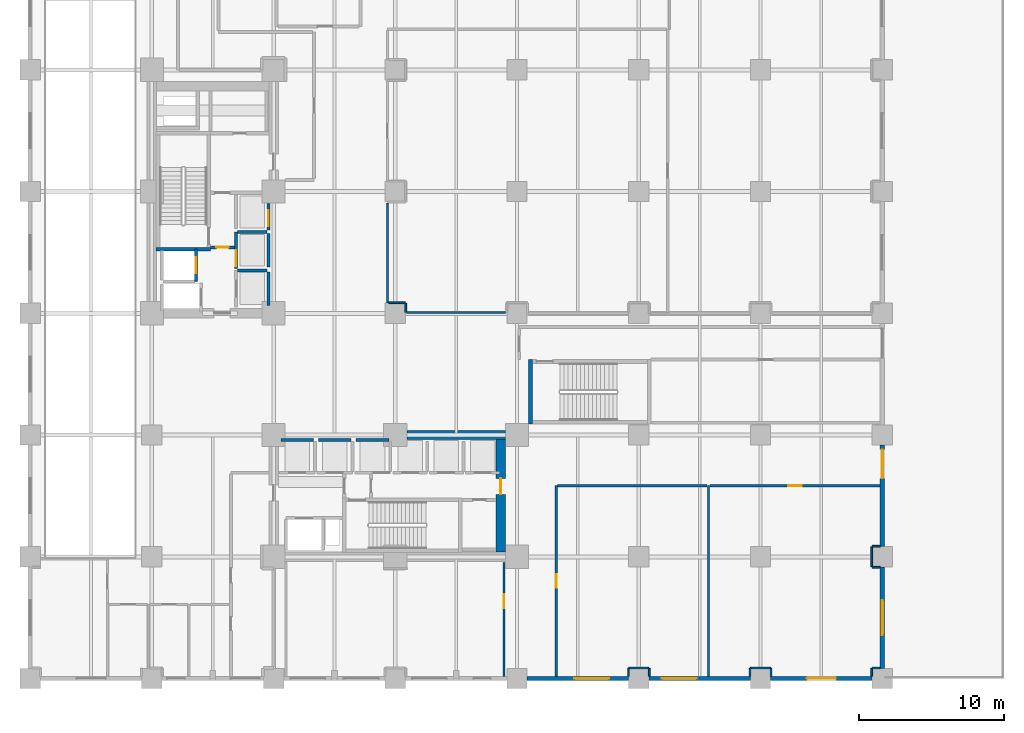
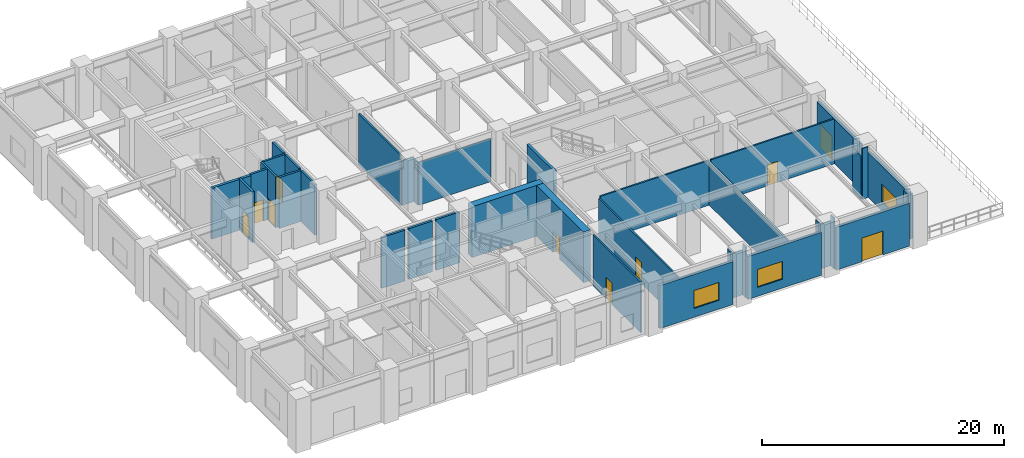
# One storey, part 5 of 13: 40 walls, 10 doors, 3 windows, 13 openings.
"""IFC4 building model written with IfcOpenShell, lengths in metres."""

from ifc_helpers import new_model, si_unit, direction, frame, frame_2d, origin, place, context, subcontext, project, spatial, rectangle, extrude, material, layer, layer_set, type_object, element, fill, save


model = new_model("IFC4")

# Units and contexts
model_context = context("Model", 3, precision=1e-05, world=origin(), true_north=direction((0.0, 1.0)))
body_context = subcontext(model_context, "Body", "Model", "MODEL_VIEW")
ifc_project = project(units=[si_unit("LENGTHUNIT", "METRE"), si_unit("AREAUNIT", "SQUARE_METRE"), si_unit("VOLUMEUNIT", "CUBIC_METRE"), si_unit("PLANEANGLEUNIT", "RADIAN"), si_unit("MASSUNIT", "GRAM", prefix="KILO")], contexts=[model_context])

# Site, building, storey
site_placement = place(None, origin())
site = spatial("IfcSite", under=ifc_project, at=site_placement, CompositionType="ELEMENT")
building_placement = place(site_placement, origin())
building = spatial("IfcBuilding", under=site, at=building_placement, Name="Nerrivon Quay Data Exchange", CompositionType="ELEMENT")
storey_placement = place(building_placement, origin())
storey = spatial("IfcBuildingStorey", under=building, at=storey_placement, Name="L00", CompositionType="ELEMENT", Elevation=0.0)

# Wall, opening, door
ifc_material_1 = material(Name="Precast concrete N50 (50 MPa)", Category="concrete")
ifc_layer_1 = layer(ifc_material_1, 0.280029296875)
ifc_layer_set_1 = layer_set([ifc_layer_1], Name="Precast concrete N50 (50 MPa)")
wall_type_1 = type_object("IfcWallType", Name="EW-PREC-280", PredefinedType="STANDARD", material=ifc_layer_set_1)
wall_1_placement = place(storey_placement, frame((58.800048828125, 16.10009765625, 0.0), z_axis=(0.0, 0.0, 1.0), x_axis=(0.0, -1.0, 0.0)))
wall_1 = element("IfcWall", 1, at=wall_1_placement, inside=storey, type_object=wall_type_1, Name="L00 Podium Exterior Wall 18", PredefinedType="STANDARD", context=body_context, shape_type="SweptSolid", body=[
    extrude(rectangle(XDim=7.0, YDim=0.280029296875, at=frame_2d((3.5, 0.0))), origin(), (0.0, 0.0, 1.0), 4.512939453125),
])
opening_1_placement = place(wall_1_placement, frame((0.300048828125, 0.0, 0.0)))
opening_1 = element("IfcOpeningElement", 2, at=opening_1_placement, cuts=wall_1, Name="Opening ED1", PredefinedType="OPENING", context=body_context, shape_type="SweptSolid", body=[
    extrude(rectangle(XDim=2.0, YDim=2.39990234375, at=frame_2d((1.0, 1.199951171875))), frame((0.0, 0.14990234375, 0.0), z_axis=(0.0, -1.0, 0.0), x_axis=(1.0, 0.0, 0.0)), (0.0, 0.0, 1.0), 0.300048828125),
])
ifc_material_2 = material(Name="Anodised aluminium 6063-T6", Category="aluminium")
door_type_1 = type_object("IfcDoorType", Name="DR-EXT-2000x2400", OperationType="DOUBLE_DOOR_SINGLE_SWING", PredefinedType="DOOR", material=ifc_material_2)
door_1_placement = place(opening_1_placement, origin())
door_1 = element("IfcDoor", 3, at=door_1_placement, inside=storey, type_object=door_type_1, Name="Waterfront Promenade Entrance Door 18", OperationType="DOUBLE_DOOR_SINGLE_SWING", OverallHeight=2.39990234375, OverallWidth=2.0, PredefinedType="DOOR", context=body_context, shape_type="SweptSolid", body=[
    extrude(rectangle(XDim=2.0, YDim=2.39990234375, at=frame_2d((1.0, 1.199951171875))), frame((0.0, 0.02490234375, 0.0), z_axis=(0.0, -1.0, 0.0), x_axis=(1.0, 0.0, 0.0)), (0.0, 0.0, 1.0), 0.050048828125),
])
fill(opening_1, door_1)

# Wall, opening, window
wall_2_placement = place(storey_placement, frame((58.800048828125, 7.699951171875, 0.0), z_axis=(0.0, 0.0, 1.0), x_axis=(0.0, -1.0, 0.0)))
wall_2 = element("IfcWall", 4, at=wall_2_placement, inside=storey, type_object=wall_type_1, Name="L00 Podium Exterior Wall 19", PredefinedType="STANDARD", context=body_context, shape_type="SweptSolid", body=[
    extrude(rectangle(XDim=7.0, YDim=0.280029296875, at=frame_2d((3.5, 0.0))), origin(), (0.0, 0.0, 1.0), 4.512939453125),
])
opening_2_placement = place(wall_2_placement, frame((2.300048828125, 0.0, 0.89990234375)))
opening_2 = element("IfcOpeningElement", 5, at=opening_2_placement, cuts=wall_2, Name="Opening WN1", PredefinedType="OPENING", context=body_context, shape_type="SweptSolid", body=[
    extrude(rectangle(XDim=2.39990234375, YDim=1.800048828125, at=frame_2d((1.199951171875, 0.89990234375))), frame((0.0, 0.14990234375, 0.0), z_axis=(0.0, -1.0, 0.0), x_axis=(1.0, 0.0, 0.0)), (0.0, 0.0, 1.0), 0.300048828125),
])
ifc_material_3 = material(Name="Double-glazed low-E solar control glass", Category="glass")
window_type = type_object("IfcWindowType", Name="WIN-W1-2400x1800", PartitioningType="SINGLE_PANEL", PredefinedType="WINDOW", material=ifc_material_3)
window_1_placement = place(opening_2_placement, origin())
window_1 = element("IfcWindow", 6, at=window_1_placement, inside=storey, type_object=window_type, Name="L00 Podium Window 19", OverallHeight=1.800048828125, OverallWidth=2.39990234375, PartitioningType="SINGLE_PANEL", PredefinedType="WINDOW", context=body_context, shape_type="SweptSolid", body=[
    extrude(rectangle(XDim=2.39990234375, YDim=1.800048828125, at=frame_2d((1.199951171875, 0.89990234375))), frame((0.0, 0.030029296875, 0.0), z_axis=(0.0, -1.0, 0.0), x_axis=(1.0, 0.0, 0.0)), (0.0, 0.0, 1.0), 0.06005859375),
])
fill(opening_2, window_1)

# Wall, opening, door
wall_3_placement = place(storey_placement, frame((58.10009765625, 0.0, 0.0), z_axis=(0.0, 0.0, 1.0), x_axis=(-1.0, 0.0, 0.0)))
wall_3 = element("IfcWall", 7, at=wall_3_placement, inside=storey, type_object=wall_type_1, Name="L00 Podium Exterior Wall 20", PredefinedType="STANDARD", context=body_context, shape_type="SweptSolid", body=[
    extrude(rectangle(XDim=7.0, YDim=0.280029296875, at=frame_2d((3.5, 0.0))), origin(), (0.0, 0.0, 1.0), 4.324951171875),
])
opening_3_placement = place(wall_3_placement, frame((2.5, 0.0, 0.0)))
opening_3 = element("IfcOpeningElement", 8, at=opening_3_placement, cuts=wall_3, Name="Opening ED1", PredefinedType="OPENING", context=body_context, shape_type="SweptSolid", body=[
    extrude(rectangle(XDim=2.0, YDim=2.39990234375, at=frame_2d((1.0, 1.199951171875))), frame((0.0, 0.14990234375, 0.0), z_axis=(0.0, -1.0, 0.0), x_axis=(1.0, 0.0, 0.0)), (0.0, 0.0, 1.0), 0.300048828125),
])
door_2_placement = place(opening_3_placement, origin())
door_2 = element("IfcDoor", 9, at=door_2_placement, inside=storey, type_object=door_type_1, Name="Waterfront Promenade Entrance Door 20", OperationType="DOUBLE_DOOR_SINGLE_SWING", OverallHeight=2.39990234375, OverallWidth=2.0, PredefinedType="DOOR", context=body_context, shape_type="SweptSolid", body=[
    extrude(rectangle(XDim=2.0, YDim=2.39990234375, at=frame_2d((1.0, 1.199951171875))), frame((0.0, 0.02490234375, 0.0), z_axis=(0.0, -1.0, 0.0), x_axis=(1.0, 0.0, 0.0)), (0.0, 0.0, 1.0), 0.050048828125),
])
fill(opening_3, door_2)

# Wall, opening, window
wall_4_placement = place(storey_placement, frame((49.699951171875, 0.0, 0.0), z_axis=(0.0, 0.0, 1.0), x_axis=(-1.0, 0.0, 0.0)))
wall_4 = element("IfcWall", 10, at=wall_4_placement, inside=storey, type_object=wall_type_1, Name="L00 Podium Exterior Wall 21", PredefinedType="STANDARD", context=body_context, shape_type="SweptSolid", body=[
    extrude(rectangle(XDim=7.0, YDim=0.280029296875, at=frame_2d((3.5, 0.0))), origin(), (0.0, 0.0, 1.0), 4.324951171875),
])
opening_4_placement = place(wall_4_placement, frame((3.705078125, 0.0, 0.89990234375)))
opening_4 = element("IfcOpeningElement", 11, at=opening_4_placement, cuts=wall_4, Name="Opening WN1", PredefinedType="OPENING", context=body_context, shape_type="SweptSolid", body=[
    extrude(rectangle(XDim=2.39990234375, YDim=1.800048828125, at=frame_2d((1.199951171875, 0.89990234375))), frame((0.0, 0.14990234375, 0.0), z_axis=(0.0, -1.0, 0.0), x_axis=(1.0, 0.0, 0.0)), (0.0, 0.0, 1.0), 0.300048828125),
])
window_2_placement = place(opening_4_placement, origin())
window_2 = element("IfcWindow", 12, at=window_2_placement, inside=storey, type_object=window_type, Name="L00 Podium Window 21", OverallHeight=1.800048828125, OverallWidth=2.39990234375, PartitioningType="SINGLE_PANEL", PredefinedType="WINDOW", context=body_context, shape_type="SweptSolid", body=[
    extrude(rectangle(XDim=2.39990234375, YDim=1.800048828125, at=frame_2d((1.199951171875, 0.89990234375))), frame((0.0, 0.030029296875, 0.0), z_axis=(0.0, -1.0, 0.0), x_axis=(1.0, 0.0, 0.0)), (0.0, 0.0, 1.0), 0.06005859375),
])
fill(opening_4, window_2)

wall_5_placement = place(storey_placement, frame((41.300048828125, 0.0, 0.0), z_axis=(0.0, 0.0, 1.0), x_axis=(-1.0, 0.0, 0.0)))
wall_5 = element("IfcWall", 13, at=wall_5_placement, inside=storey, type_object=wall_type_1, Name="L00 Podium Exterior Wall 22", PredefinedType="STANDARD", context=body_context, shape_type="SweptSolid", body=[
    extrude(rectangle(XDim=7.0, YDim=0.280029296875, at=frame_2d((3.5, 0.0))), origin(), (0.0, 0.0, 1.0), 4.324951171875),
])
opening_5_placement = place(wall_5_placement, frame((1.344970703125, 0.0, 0.89990234375)))
opening_5 = element("IfcOpeningElement", 14, at=opening_5_placement, cuts=wall_5, Name="Opening WN1", PredefinedType="OPENING", context=body_context, shape_type="SweptSolid", body=[
    extrude(rectangle(XDim=2.39990234375, YDim=1.800048828125, at=frame_2d((1.199951171875, 0.89990234375))), frame((0.0, 0.14990234375, 0.0), z_axis=(0.0, -1.0, 0.0), x_axis=(1.0, 0.0, 0.0)), (0.0, 0.0, 1.0), 0.300048828125),
])
window_3_placement = place(opening_5_placement, origin())
window_3 = element("IfcWindow", 15, at=window_3_placement, inside=storey, type_object=window_type, Name="L00 Podium Window 22", OverallHeight=1.800048828125, OverallWidth=2.39990234375, PartitioningType="SINGLE_PANEL", PredefinedType="WINDOW", context=body_context, shape_type="SweptSolid", body=[
    extrude(rectangle(XDim=2.39990234375, YDim=1.800048828125, at=frame_2d((1.199951171875, 0.89990234375))), frame((0.0, 0.030029296875, 0.0), z_axis=(0.0, -1.0, 0.0), x_axis=(1.0, 0.0, 0.0)), (0.0, 0.0, 1.0), 0.06005859375),
])
fill(opening_5, window_3)

# Wall, opening, door
ifc_material_4 = material(Name="Concrete N80 (80 MPa)", Category="concrete")
ifc_layer_2 = layer(ifc_material_4, 0.64990234375)
ifc_layer_set_2 = layer_set([ifc_layer_2], Name="Concrete N80 (80 MPa)")
wall_type_2 = type_object("IfcWallType", Name="WALL-CW-850", PredefinedType="SHEAR", material=ifc_layer_set_2)
wall_6_placement = place(storey_placement, frame((32.47509765625, 8.72509765625, 0.0), z_axis=(0.0, 0.0, 1.0), x_axis=(0.0, 1.0, 0.0)))
wall_6 = element("IfcWall", 16, at=wall_6_placement, inside=storey, type_object=wall_type_2, Name="L00 East Split-Core Shear Wall ECW-E1", PredefinedType="SHEAR", context=body_context, shape_type="SweptSolid", body=[
    extrude(rectangle(XDim=7.75, YDim=0.64990234375, at=frame_2d((3.875, 0.0))), origin(), (0.0, 0.0, 1.0), 5.125),
])
opening_6_placement = place(wall_6_placement, frame((3.97509765625, 0.0, 0.0)))
opening_6 = element("IfcOpeningElement", 17, at=opening_6_placement, cuts=wall_6, Name="Opening FD-120", PredefinedType="OPENING", context=body_context, shape_type="SweptSolid", body=[
    extrude(rectangle(XDim=1.10009765625, YDim=2.14990234375, at=frame_2d((0.550048828125, 1.074951171875))), frame((0.0, 0.3349609375, 0.0), z_axis=(0.0, -1.0, 0.0), x_axis=(1.0, 0.0, 0.0)), (0.0, 0.0, 1.0), 0.669921875),
])
ifc_material_5 = material(Name="Powder-coated galvanized steel sheet", Category="steel")
door_type_2 = type_object("IfcDoorType", Name="DR-FD120-1100", OperationType="NOTDEFINED", PredefinedType="DOOR", material=ifc_material_5)
door_3_placement = place(opening_6_placement, origin())
door_3 = element("IfcDoor", 18, at=door_3_placement, inside=storey, type_object=door_type_2, Name="L00 East Core Lobby Fire Door", OperationType="SINGLE_SWING_LEFT", OverallHeight=2.14990234375, OverallWidth=1.10009765625, PredefinedType="DOOR", context=body_context, shape_type="SweptSolid", body=[
    extrude(rectangle(XDim=1.10009765625, YDim=2.14990234375, at=frame_2d((0.550048828125, 1.074951171875))), frame((0.0, 0.02490234375, 0.0), z_axis=(0.0, -1.0, 0.0), x_axis=(1.0, 0.0, 0.0)), (0.0, 0.0, 1.0), 0.050048828125),
])
fill(opening_6, door_3)

# Wall
wall_7_placement = place(storey_placement, frame((26.0, 16.800048828125, 0.0), z_axis=(0.0, 0.0, 1.0), x_axis=(1.0, 0.0, 0.0)))
element("IfcWall", 19, at=wall_7_placement, inside=storey, type_object=wall_type_2, Name="L00 East Split-Core Shear Wall ECW-N1", PredefinedType="SHEAR", context=body_context, shape_type="SweptSolid", body=[
    extrude(rectangle(XDim=6.800048828125, YDim=0.64990234375, at=frame_2d((3.39990234375, 0.0))), origin(), (0.0, 0.0, 1.0), 5.125),
])

# Wall, opening, door
ifc_material_6 = material(Name="Gypsum plasterboard on cold-formed framing", Category="gypsum")
ifc_layer_3 = layer(ifc_material_6, 0.199951171875)
ifc_layer_set_3 = layer_set([ifc_layer_3], Name="Gypsum plasterboard on cold-formed framing")
wall_type_3 = type_object("IfcWallType", Name="WALL-FW-200", PredefinedType="PARTITIONING", material=ifc_layer_set_3)
wall_8_placement = place(storey_placement, frame((12.449951171875, 29.75, 0.0), z_axis=(0.0, 0.0, 1.0), x_axis=(1.0, 0.0, 0.0)))
wall_8 = element("IfcWall", 20, at=wall_8_placement, inside=storey, type_object=wall_type_3, Name="L00 West Stair Protected Exit Vestibule Wall", PredefinedType="PARTITIONING", context=body_context, shape_type="SweptSolid", body=[
    extrude(rectangle(XDim=1.650146484375, YDim=0.199951171875, at=frame_2d((0.8251953125, 0.0))), origin(), (0.0, 0.0, 1.0), 5.125),
])
opening_7_placement = place(wall_8_placement, frame((0.39990234375, 0.0, 0.0)))
opening_7 = element("IfcOpeningElement", 21, at=opening_7_placement, cuts=wall_8, Name="Opening FD-60S", PredefinedType="OPENING", context=body_context, shape_type="SweptSolid", body=[
    extrude(rectangle(XDim=0.85009765625, YDim=2.14990234375, at=frame_2d((0.425048828125, 1.074951171875))), frame((0.0, 0.10986328125, 0.0), z_axis=(0.0, -1.0, 0.0), x_axis=(1.0, 0.0, 0.0)), (0.0, 0.0, 1.0), 0.219970703125),
])
ifc_material_7 = material(Name="Engineered hardwood timber", Category="wood")
door_type_3 = type_object("IfcDoorType", Name="DR-FD60-850", OperationType="NOTDEFINED", PredefinedType="DOOR", material=ifc_material_7)
door_4_placement = place(opening_7_placement, origin())
door_4 = element("IfcDoor", 22, at=door_4_placement, inside=storey, type_object=door_type_3, Name="L00 West Lift Lobby to Exit Vestibule Fire Door", OperationType="SINGLE_SWING_LEFT", OverallHeight=2.14990234375, OverallWidth=0.85009765625, PredefinedType="DOOR", context=body_context, shape_type="SweptSolid", body=[
    extrude(rectangle(XDim=0.85009765625, YDim=2.14990234375, at=frame_2d((0.425048828125, 1.074951171875))), frame((0.0, 0.02490234375, 0.0), z_axis=(0.0, -1.0, 0.0), x_axis=(1.0, 0.0, 0.0)), (0.0, 0.0, 1.0), 0.050048828125),
])
fill(opening_7, door_4)

wall_9_placement = place(storey_placement, frame((11.449951171875, 27.39990234375, 0.0), z_axis=(0.0, 0.0, 1.0), x_axis=(0.0, 1.0, 0.0)))
wall_9 = element("IfcWall", 23, at=wall_9_placement, inside=storey, type_object=wall_type_3, Name="L00 Lift Front Wall FFL-1", PredefinedType="PARTITIONING", context=body_context, shape_type="SweptSolid", body=[
    extrude(rectangle(XDim=2.25, YDim=0.199951171875, at=frame_2d((1.125, 0.0))), origin(), (0.0, 0.0, 1.0), 5.125),
])
opening_8_placement = place(wall_9_placement, frame((0.574951171875, 0.0, 0.0)))
opening_8 = element("IfcOpeningElement", 24, at=opening_8_placement, cuts=wall_9, Name="Opening LD-120", PredefinedType="OPENING", context=body_context, shape_type="SweptSolid", body=[
    extrude(rectangle(XDim=1.10009765625, YDim=2.199951171875, at=frame_2d((0.550048828125, 1.10009765625))), frame((0.0, 0.10986328125, 0.0), z_axis=(0.0, -1.0, 0.0), x_axis=(1.0, 0.0, 0.0)), (0.0, 0.0, 1.0), 0.219970703125),
])
door_type_4 = type_object("IfcDoorType", Name="DR-LIFT-LD120", OperationType="DOUBLE_DOOR_SLIDING", PredefinedType="DOOR", material=ifc_material_5)
door_5_placement = place(opening_8_placement, origin())
door_5 = element("IfcDoor", 25, at=door_5_placement, inside=storey, type_object=door_type_4, Name="L00 Lift Landing Sliding Door FFL-1", OperationType="DOUBLE_DOOR_SLIDING", OverallHeight=2.199951171875, OverallWidth=1.10009765625, PredefinedType="DOOR", context=body_context, shape_type="SweptSolid", body=[
    extrude(rectangle(XDim=1.10009765625, YDim=2.199951171875, at=frame_2d((0.550048828125, 1.10009765625))), frame((0.0, 0.02490234375, 0.0), z_axis=(0.0, -1.0, 0.0), x_axis=(1.0, 0.0, 0.0)), (0.0, 0.0, 1.0), 0.050048828125),
])
fill(opening_8, door_5)

# Walls
wall_10_placement = place(storey_placement, frame((16.449951171875, 25.75, 0.0), z_axis=(0.0, 0.0, 1.0), x_axis=(0.0, 1.0, 0.0)))
element("IfcWall", 26, at=wall_10_placement, inside=storey, type_object=wall_type_3, Name="L00 Lift Shaft Wall PL1 EAST", PredefinedType="PARTITIONING", context=body_context, shape_type="SweptSolid", body=[
    extrude(rectangle(XDim=2.300048828125, YDim=0.199951171875, at=frame_2d((1.14990234375, 0.0))), origin(), (0.0, 0.0, 1.0), 5.125),
])
wall_11_placement = place(storey_placement, frame((14.300048828125, 28.14990234375, 0.0), z_axis=(0.0, 0.0, 1.0), x_axis=(1.0, 0.0, 0.0)))
element("IfcWall", 27, at=wall_11_placement, inside=storey, type_object=wall_type_3, Name="L00 Lift Shaft Wall PL1 NORTH", PredefinedType="PARTITIONING", context=body_context, shape_type="SweptSolid", body=[
    extrude(rectangle(XDim=2.050048828125, YDim=0.199951171875, at=frame_2d((1.02490234375, 0.0))), origin(), (0.0, 0.0, 1.0), 5.125),
])

# Wall, opening, door
wall_12_placement = place(storey_placement, frame((14.199951171875, 28.300048828125, 0.0), z_axis=(0.0, 0.0, 1.0), x_axis=(0.0, 1.0, 0.0)))
wall_12 = element("IfcWall", 28, at=wall_12_placement, inside=storey, type_object=wall_type_3, Name="L00 Lift Front Wall PL2", PredefinedType="PARTITIONING", context=body_context, shape_type="SweptSolid", body=[
    extrude(rectangle(XDim=2.5, YDim=0.199951171875, at=frame_2d((1.25, 0.0))), origin(), (0.0, 0.0, 1.0), 5.125),
])
opening_9_placement = place(wall_12_placement, frame((0.14990234375, 0.0, 0.0)))
opening_9 = element("IfcOpeningElement", 29, at=opening_9_placement, cuts=wall_12, Name="Opening LD-120", PredefinedType="OPENING", context=body_context, shape_type="SweptSolid", body=[
    extrude(rectangle(XDim=1.10009765625, YDim=2.199951171875, at=frame_2d((0.550048828125, 1.10009765625))), frame((0.0, 0.10986328125, 0.0), z_axis=(0.0, -1.0, 0.0), x_axis=(1.0, 0.0, 0.0)), (0.0, 0.0, 1.0), 0.219970703125),
])
door_6_placement = place(opening_9_placement, origin())
door_6 = element("IfcDoor", 30, at=door_6_placement, inside=storey, type_object=door_type_4, Name="L00 Lift Landing Sliding Door PL2", OperationType="DOUBLE_DOOR_SLIDING", OverallHeight=2.199951171875, OverallWidth=1.10009765625, PredefinedType="DOOR", context=body_context, shape_type="SweptSolid", body=[
    extrude(rectangle(XDim=1.10009765625, YDim=2.199951171875, at=frame_2d((0.550048828125, 1.10009765625))), frame((0.0, 0.02490234375, 0.0), z_axis=(0.0, -1.0, 0.0), x_axis=(1.0, 0.0, 0.0)), (0.0, 0.0, 1.0), 0.050048828125),
])
fill(opening_9, door_6)

# Walls
wall_13_placement = place(storey_placement, frame((16.449951171875, 28.39990234375, 0.0), z_axis=(0.0, 0.0, 1.0), x_axis=(0.0, 1.0, 0.0)))
element("IfcWall", 31, at=wall_13_placement, inside=storey, type_object=wall_type_3, Name="L00 Lift Shaft Wall PL2 EAST", PredefinedType="PARTITIONING", context=body_context, shape_type="SweptSolid", body=[
    extrude(rectangle(XDim=2.300048828125, YDim=0.199951171875, at=frame_2d((1.14990234375, 0.0))), origin(), (0.0, 0.0, 1.0), 5.125),
])
wall_14_placement = place(storey_placement, frame((14.300048828125, 30.800048828125, 0.0), z_axis=(0.0, 0.0, 1.0), x_axis=(1.0, 0.0, 0.0)))
element("IfcWall", 32, at=wall_14_placement, inside=storey, type_object=wall_type_3, Name="L00 Lift Shaft Wall PL2 NORTH", PredefinedType="PARTITIONING", context=body_context, shape_type="SweptSolid", body=[
    extrude(rectangle(XDim=2.050048828125, YDim=0.199951171875, at=frame_2d((1.02490234375, 0.0))), origin(), (0.0, 0.0, 1.0), 5.125),
])

# Wall, opening, door
wall_15_placement = place(storey_placement, frame((16.449951171875, 30.949951171875, 0.0), z_axis=(0.0, 0.0, 1.0), x_axis=(0.0, 1.0, 0.0)))
wall_15 = element("IfcWall", 33, at=wall_15_placement, inside=storey, type_object=wall_type_3, Name="L00 Lift Front Wall PL3", PredefinedType="PARTITIONING", context=body_context, shape_type="SweptSolid", body=[
    extrude(rectangle(XDim=1.830078125, YDim=0.199951171875, at=frame_2d((0.9150390625, 0.0))), origin(), (0.0, 0.0, 1.0), 5.125),
])
opening_10_placement = place(wall_15_placement, frame((0.25, 0.0, 0.0)))
opening_10 = element("IfcOpeningElement", 34, at=opening_10_placement, cuts=wall_15, Name="Opening LD-120", PredefinedType="OPENING", context=body_context, shape_type="SweptSolid", body=[
    extrude(rectangle(XDim=1.10009765625, YDim=2.199951171875, at=frame_2d((0.550048828125, 1.10009765625))), frame((0.0, 0.10986328125, 0.0), z_axis=(0.0, -1.0, 0.0), x_axis=(1.0, 0.0, 0.0)), (0.0, 0.0, 1.0), 0.219970703125),
])
door_7_placement = place(opening_10_placement, origin())
door_7 = element("IfcDoor", 35, at=door_7_placement, inside=storey, type_object=door_type_4, Name="L00 Lift Landing Sliding Door PL3", OperationType="DOUBLE_DOOR_SLIDING", OverallHeight=2.199951171875, OverallWidth=1.10009765625, PredefinedType="DOOR", context=body_context, shape_type="SweptSolid", body=[
    extrude(rectangle(XDim=1.10009765625, YDim=2.199951171875, at=frame_2d((0.550048828125, 1.10009765625))), frame((0.0, 0.02490234375, 0.0), z_axis=(0.0, -1.0, 0.0), x_axis=(1.0, 0.0, 0.0)), (0.0, 0.0, 1.0), 0.050048828125),
])
fill(opening_10, door_7)

# Walls
for number, where, z_axis, x_axis, name in (
    (36, (17.300048828125, 16.449951171875, 0.0), (0.0, 0.0, 1.0), (1.0, 0.0, 0.0), "L00 Lift Shaft Wall PL4 NORTH"),
    (37, (19.89990234375, 16.449951171875, 0.0), (0.0, 0.0, 1.0), (1.0, 0.0, 0.0), "L00 Lift Shaft Wall PL5 NORTH"),
    (38, (22.5, 16.449951171875, 0.0), (0.0, 0.0, 1.0), (1.0, 0.0, 0.0), "L00 Lift Shaft Wall PL6 NORTH"),
):
    element("IfcWall", number, at=place(storey_placement, frame(where, z_axis=z_axis, x_axis=x_axis)), inside=storey, type_object=wall_type_3, Name=name, PredefinedType="PARTITIONING", context=body_context, shape_type="SweptSolid", body=[
        extrude(rectangle(XDim=2.25, YDim=0.199951171875, at=frame_2d((1.125, 0.0))), origin(), (0.0, 0.0, 1.0), 5.125),
    ])
ifc_layer_4 = layer(ifc_material_6, 0.1201171875)
ifc_layer_set_4 = layer_set([ifc_layer_4], Name="Gypsum plasterboard on cold-formed framing")
wall_type_4 = type_object("IfcWallType", Name="WALL-PT-120", PredefinedType="PARTITIONING", material=ifc_layer_set_4)
wall_16_placement = place(storey_placement, frame((24.739013671875, 25.919921875, 0.0), z_axis=(0.0, 0.0, 1.0), x_axis=(1.0, 0.0, 0.0)))
element("IfcWall", 39, at=wall_16_placement, inside=storey, type_object=wall_type_4, Name="L00 Partition Carrier Reception Office", PredefinedType="PARTITIONING", context=body_context, shape_type="SweptSolid", body=[
    extrude(rectangle(XDim=1.160888671875, YDim=0.1201171875, at=frame_2d((0.58056640625, 0.0))), origin(), (0.0, 0.0, 1.0), 4.512939453125),
])
wall_17_placement = place(storey_placement, frame((25.919921875, 25.89990234375, 0.0), z_axis=(0.0, 0.0, 1.0), x_axis=(0.0, -1.0, 0.0)))
element("IfcWall", 40, at=wall_17_placement, inside=storey, type_object=wall_type_4, Name="L00 Partition Carrier Reception Office", PredefinedType="PARTITIONING", context=body_context, shape_type="SweptSolid", body=[
    extrude(rectangle(XDim=0.639892578125, YDim=0.1201171875, at=frame_2d((0.31982421875, 0.0))), origin(), (0.0, 0.0, 1.0), 4.324951171875),
])
wall_18_placement = place(storey_placement, frame((41.280029296875, 0.14404296875, 0.0), z_axis=(0.0, 0.0, 1.0), x_axis=(0.0, 1.0, 0.0)))
element("IfcWall", 41, at=wall_18_placement, inside=storey, type_object=wall_type_4, Name="L00 Partition Client Huddle Meeting Room", PredefinedType="PARTITIONING", context=body_context, shape_type="SweptSolid", body=[
    extrude(rectangle(XDim=0.555908203125, YDim=0.1201171875, at=frame_2d((0.27783203125, 0.0))), origin(), (0.0, 0.0, 1.0), 5.125),
])
wall_19_placement = place(storey_placement, frame((41.300048828125, 0.719970703125, 0.0), z_axis=(0.0, 0.0, 1.0), x_axis=(1.0, 0.0, 0.0)))
element("IfcWall", 42, at=wall_19_placement, inside=storey, type_object=wall_type_4, Name="L00 Partition Client Huddle Meeting Room", PredefinedType="PARTITIONING", context=body_context, shape_type="SweptSolid", body=[
    extrude(rectangle(XDim=1.39990234375, YDim=0.1201171875, at=frame_2d((0.699951171875, 0.0))), origin(), (0.0, 0.0, 1.0), 4.512939453125),
])
for number, where, z_axis, x_axis, name in (
    (43, (42.719970703125, 0.699951171875, 0.0), (0.0, 0.0, 1.0), (0.0, -1.0, 0.0), "L00 Partition Client Huddle Meeting Room"),
    (44, (49.679931640625, 0.14404296875, 0.0), (0.0, 0.0, 1.0), (0.0, 1.0, 0.0), "L00 Partition Digital Exchange Office"),
):
    element("IfcWall", number, at=place(storey_placement, frame(where, z_axis=z_axis, x_axis=x_axis)), inside=storey, type_object=wall_type_4, Name=name, PredefinedType="PARTITIONING", context=body_context, shape_type="SweptSolid", body=[
        extrude(rectangle(XDim=0.555908203125, YDim=0.1201171875, at=frame_2d((0.27783203125, 0.0))), origin(), (0.0, 0.0, 1.0), 5.125),
    ])
wall_20_placement = place(storey_placement, frame((49.699951171875, 0.719970703125, 0.0), z_axis=(0.0, 0.0, 1.0), x_axis=(1.0, 0.0, 0.0)))
element("IfcWall", 45, at=wall_20_placement, inside=storey, type_object=wall_type_4, Name="L00 Partition Digital Exchange Office", PredefinedType="PARTITIONING", context=body_context, shape_type="SweptSolid", body=[
    extrude(rectangle(XDim=1.400146484375, YDim=0.1201171875, at=frame_2d((0.7001953125, 0.0))), origin(), (0.0, 0.0, 1.0), 4.512939453125),
])
for number, where, z_axis, x_axis, name in (
    (46, (51.1201171875, 0.699951171875, 0.0), (0.0, 0.0, 1.0), (0.0, -1.0, 0.0), "L00 Partition Digital Exchange Office"),
    (47, (58.080078125, 0.14404296875, 0.0), (0.0, 0.0, 1.0), (0.0, 1.0, 0.0), "L00 Partition Digital Exchange Office"),
    (48, (58.10009765625, 0.719970703125, 0.0), (0.0, 0.0, 1.0), (1.0, 0.0, 0.0), "L00 Partition Digital Exchange Office"),
    (49, (58.656005859375, 7.679931640625, 0.0), (0.0, 0.0, 1.0), (-1.0, 0.0, 0.0), "L00 Partition Digital Exchange Office"),
):
    element("IfcWall", number, at=place(storey_placement, frame(where, z_axis=z_axis, x_axis=x_axis)), inside=storey, type_object=wall_type_4, Name=name, PredefinedType="PARTITIONING", context=body_context, shape_type="SweptSolid", body=[
        extrude(rectangle(XDim=0.555908203125, YDim=0.1201171875, at=frame_2d((0.27783203125, 0.0))), origin(), (0.0, 0.0, 1.0), 5.125),
    ])
wall_21_placement = place(storey_placement, frame((58.080078125, 7.699951171875, 0.0), z_axis=(0.0, 0.0, 1.0), x_axis=(0.0, 1.0, 0.0)))
element("IfcWall", 50, at=wall_21_placement, inside=storey, type_object=wall_type_4, Name="L00 Partition Digital Exchange Office", PredefinedType="PARTITIONING", context=body_context, shape_type="SweptSolid", body=[
    extrude(rectangle(XDim=1.400146484375, YDim=0.1201171875, at=frame_2d((0.7001953125, 0.0))), origin(), (0.0, 0.0, 1.0), 4.324951171875),
])
wall_22_placement = place(storey_placement, frame((58.10009765625, 9.1201171875, 0.0), z_axis=(0.0, 0.0, 1.0), x_axis=(1.0, 0.0, 0.0)))
element("IfcWall", 51, at=wall_22_placement, inside=storey, type_object=wall_type_4, Name="L00 Partition Digital Exchange Office", PredefinedType="PARTITIONING", context=body_context, shape_type="SweptSolid", body=[
    extrude(rectangle(XDim=0.555908203125, YDim=0.1201171875, at=frame_2d((0.27783203125, 0.0))), origin(), (0.0, 0.0, 1.0), 5.125),
])
ifc_layer_5 = layer(ifc_material_6, 0.14990234375)
ifc_layer_set_5 = layer_set([ifc_layer_5], Name="Gypsum plasterboard on cold-formed framing")
wall_type_5 = type_object("IfcWallType", Name="WALL-PT-150", PredefinedType="PARTITIONING", material=ifc_layer_set_5)
wall_23_placement = place(storey_placement, frame((24.659912109375, 32.81591796875, 0.0), z_axis=(0.0, 0.0, 1.0), x_axis=(0.0, -1.0, 0.0)))
element("IfcWall", 52, at=wall_23_placement, inside=storey, type_object=wall_type_5, Name="L00 Partition Carrier Reception Office", PredefinedType="PARTITIONING", context=body_context, shape_type="SweptSolid", body=[
    extrude(rectangle(XDim=6.89599609375, YDim=0.14990234375, at=frame_2d((3.447998046875, 0.0))), origin(), (0.0, 0.0, 1.0), 5.125),
])
wall_24_placement = place(storey_placement, frame((25.98388671875, 25.260009765625, 0.0), z_axis=(0.0, 0.0, 1.0), x_axis=(1.0, 0.0, 0.0)))
element("IfcWall", 53, at=wall_24_placement, inside=storey, type_object=wall_type_5, Name="L00 Partition Carrier Reception Office", PredefinedType="PARTITIONING", context=body_context, shape_type="SweptSolid", body=[
    extrude(rectangle(XDim=6.83203125, YDim=0.14990234375, at=frame_2d((3.416015625, 0.0))), origin(), (0.0, 0.0, 1.0), 4.324951171875),
])

# Wall, opening, door
wall_25_placement = place(storey_placement, frame((36.300048828125, 13.300048828125, 0.0), z_axis=(0.0, 0.0, 1.0), x_axis=(0.0, -1.0, 0.0)))
wall_25 = element("IfcWall", 54, at=wall_25_placement, inside=storey, type_object=wall_type_5, Name="L00 Partition Client Huddle Meeting Room", PredefinedType="PARTITIONING", context=body_context, shape_type="SweptSolid", body=[
    extrude(rectangle(XDim=13.156005859375, YDim=0.14990234375, at=frame_2d((6.578125, 0.0))), origin(), (0.0, 0.0, 1.0), 4.324951171875),
])
opening_11_placement = place(wall_25_placement, frame((6.10302734375, 0.0, 0.0)))
opening_11 = element("IfcOpeningElement", 55, at=opening_11_placement, cuts=wall_25, Name="Opening D-01", PredefinedType="OPENING", context=body_context, shape_type="SweptSolid", body=[
    extrude(rectangle(XDim=0.949951171875, YDim=2.14990234375, at=frame_2d((0.47509765625, 1.074951171875))), frame((0.0, 0.0849609375, 0.0), z_axis=(0.0, -1.0, 0.0), x_axis=(1.0, 0.0, 0.0)), (0.0, 0.0, 1.0), 0.169921875),
])
door_type_5 = type_object("IfcDoorType", Name="DR-INT-950", OperationType="NOTDEFINED", PredefinedType="DOOR", material=ifc_material_7)
door_8_placement = place(opening_11_placement, origin())
door_8 = element("IfcDoor", 56, at=door_8_placement, inside=storey, type_object=door_type_5, Name="L00 Door Client Huddle Meeting Room", OperationType="SINGLE_SWING_LEFT", OverallHeight=2.14990234375, OverallWidth=0.949951171875, PredefinedType="DOOR", context=body_context, shape_type="SweptSolid", body=[
    extrude(rectangle(XDim=0.949951171875, YDim=2.14990234375, at=frame_2d((0.47509765625, 1.074951171875))), frame((0.0, 0.02490234375, 0.0), z_axis=(0.0, -1.0, 0.0), x_axis=(1.0, 0.0, 0.0)), (0.0, 0.0, 1.0), 0.050048828125),
])
fill(opening_11, door_8)

# Walls
wall_26_placement = place(storey_placement, frame((46.800048828125, 0.14404296875, 0.0), z_axis=(0.0, 0.0, 1.0), x_axis=(0.0, 1.0, 0.0)))
element("IfcWall", 57, at=wall_26_placement, inside=storey, type_object=wall_type_5, Name="L00 Partition Client Huddle Meeting Room", PredefinedType="PARTITIONING", context=body_context, shape_type="SweptSolid", body=[
    extrude(rectangle(XDim=13.156005859375, YDim=0.14990234375, at=frame_2d((6.578125, 0.0))), origin(), (0.0, 0.0, 1.0), 4.324951171875),
])
wall_27_placement = place(storey_placement, frame((46.720947265625, 13.300048828125, 0.0), z_axis=(0.0, 0.0, 1.0), x_axis=(-1.0, 0.0, 0.0)))
element("IfcWall", 58, at=wall_27_placement, inside=storey, type_object=wall_type_5, Name="L00 Partition Client Huddle Meeting Room", PredefinedType="PARTITIONING", context=body_context, shape_type="SweptSolid", body=[
    extrude(rectangle(XDim=10.342041015625, YDim=0.14990234375, at=frame_2d((5.1708984375, 0.0))), origin(), (0.0, 0.0, 1.0), 4.512939453125),
])

# Wall, opening, door
wall_28_placement = place(storey_placement, frame((58.656005859375, 13.300048828125, 0.0), z_axis=(0.0, 0.0, 1.0), x_axis=(-1.0, 0.0, 0.0)))
wall_28 = element("IfcWall", 59, at=wall_28_placement, inside=storey, type_object=wall_type_5, Name="L00 Partition Digital Exchange Office", PredefinedType="PARTITIONING", context=body_context, shape_type="SweptSolid", body=[
    extrude(rectangle(XDim=11.756103515625, YDim=0.14990234375, at=frame_2d((5.8779296875, 0.0))), origin(), (0.0, 0.0, 1.0), 4.512939453125),
])
opening_12_placement = place(wall_28_placement, frame((5.403076171875, 0.0, 0.0)))
opening_12 = element("IfcOpeningElement", 60, at=opening_12_placement, cuts=wall_28, Name="Opening D-01", PredefinedType="OPENING", context=body_context, shape_type="SweptSolid", body=[
    extrude(rectangle(XDim=0.949951171875, YDim=2.14990234375, at=frame_2d((0.47509765625, 1.074951171875))), frame((0.0, 0.0849609375, 0.0), z_axis=(0.0, -1.0, 0.0), x_axis=(1.0, 0.0, 0.0)), (0.0, 0.0, 1.0), 0.169921875),
])
door_9_placement = place(opening_12_placement, origin())
door_9 = element("IfcDoor", 61, at=door_9_placement, inside=storey, type_object=door_type_5, Name="L00 Door Digital Exchange Office", OperationType="SINGLE_SWING_RIGHT", OverallHeight=2.14990234375, OverallWidth=0.949951171875, PredefinedType="DOOR", context=body_context, shape_type="SweptSolid", body=[
    extrude(rectangle(XDim=0.949951171875, YDim=2.14990234375, at=frame_2d((0.47509765625, 1.074951171875))), frame((0.0, 0.02490234375, 0.0), z_axis=(0.0, -1.0, 0.0), x_axis=(1.0, 0.0, 0.0)), (0.0, 0.0, 1.0), 0.050048828125),
])
fill(opening_12, door_9)

wall_29_placement = place(storey_placement, frame((32.699951171875, 0.14404296875, 0.0), z_axis=(0.0, 0.0, 1.0), x_axis=(0.0, 1.0, 0.0)))
wall_29 = element("IfcWall", 62, at=wall_29_placement, inside=storey, type_object=wall_type_5, Name="L00 Partition Subsea Meet-Me Suite", PredefinedType="PARTITIONING", context=body_context, shape_type="SweptSolid", body=[
    extrude(rectangle(XDim=7.85595703125, YDim=0.14990234375, at=frame_2d((3.927978515625, 0.0))), origin(), (0.0, 0.0, 1.0), 5.125),
])
opening_13_placement = place(wall_29_placement, frame((4.7099609375, 0.0, 0.0)))
opening_13 = element("IfcOpeningElement", 63, at=opening_13_placement, cuts=wall_29, Name="Opening D-01", PredefinedType="OPENING", context=body_context, shape_type="SweptSolid", body=[
    extrude(rectangle(XDim=0.949951171875, YDim=2.14990234375, at=frame_2d((0.47509765625, 1.074951171875))), frame((0.0, 0.0849609375, 0.0), z_axis=(0.0, -1.0, 0.0), x_axis=(1.0, 0.0, 0.0)), (0.0, 0.0, 1.0), 0.169921875),
])
door_10_placement = place(opening_13_placement, origin())
door_10 = element("IfcDoor", 64, at=door_10_placement, inside=storey, type_object=door_type_5, Name="L00 Door Subsea Meet-Me Suite", OperationType="SINGLE_SWING_LEFT", OverallHeight=2.14990234375, OverallWidth=0.949951171875, PredefinedType="DOOR", context=body_context, shape_type="SweptSolid", body=[
    extrude(rectangle(XDim=0.949951171875, YDim=2.14990234375, at=frame_2d((0.47509765625, 1.074951171875))), frame((0.0, 0.02490234375, 0.0), z_axis=(0.0, -1.0, 0.0), x_axis=(1.0, 0.0, 0.0)), (0.0, 0.0, 1.0), 0.050048828125),
])
fill(opening_13, door_10)

# Walls
ifc_material_8 = material(Name="Concrete N50 (50 MPa)", Category="concrete")
ifc_layer_6 = layer(ifc_material_8, 0.25)
ifc_layer_set_6 = layer_set([ifc_layer_6], Name="Concrete N50 (50 MPa)")
wall_type_6 = type_object("IfcWallType", Name="WALL-SW-250", PredefinedType="SHEAR", material=ifc_layer_set_6)
wall_30_placement = place(storey_placement, frame((12.449951171875, 29.625, 0.0), z_axis=(0.0, 0.0, 1.0), x_axis=(-1.0, 0.0, 0.0)))
element("IfcWall", 65, at=wall_30_placement, inside=storey, type_object=wall_type_6, Name="L00 ST01 Structural Stair Core Wall NEAR", PredefinedType="SHEAR", context=body_context, shape_type="SweptSolid", body=[
    extrude(rectangle(XDim=3.75, YDim=0.25, at=frame_2d((1.875, 0.0))), origin(), (0.0, 0.0, 1.0), 5.125),
])
wall_31_placement = place(storey_placement, frame((34.52490234375, 17.550048828125, 0.0), z_axis=(0.0, 0.0, 1.0), x_axis=(0.0, 1.0, 0.0)))
element("IfcWall", 66, at=wall_31_placement, inside=storey, type_object=wall_type_6, Name="L00 ST03 Structural Stair Core Wall NEAR", PredefinedType="SHEAR", context=body_context, shape_type="SweptSolid", body=[
    extrude(rectangle(XDim=4.449951171875, YDim=0.25, at=frame_2d((2.22509765625, 0.0))), origin(), (0.0, 0.0, 1.0), 5.125),
])

save(model, "model.ifc")
